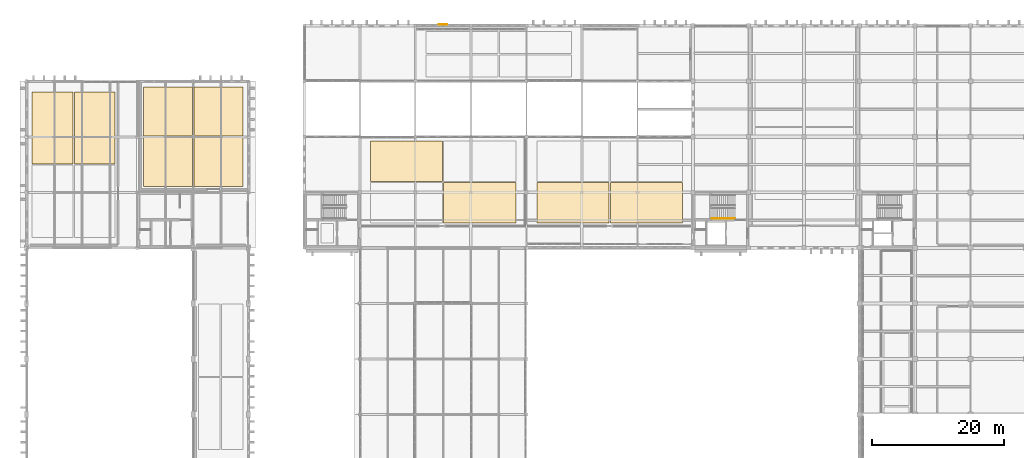
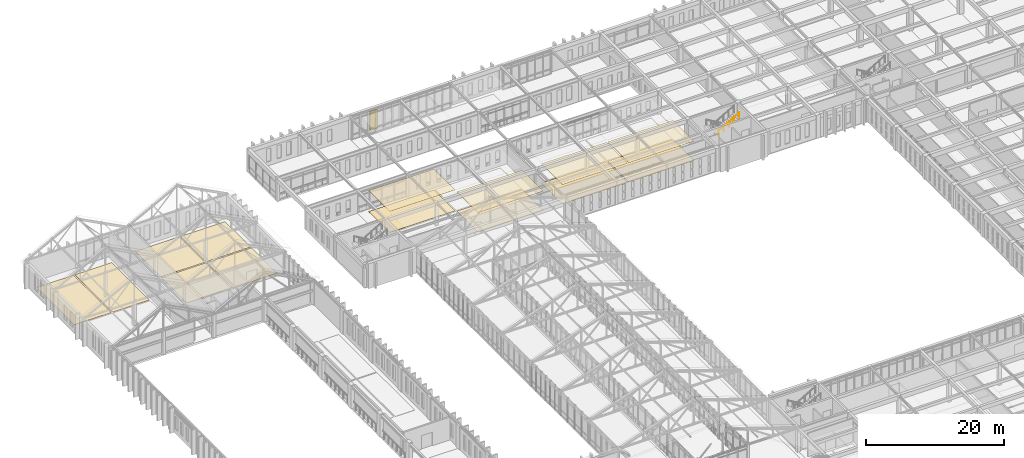
# One storey, part 187 of 192: 14 coverings, 1 railing, 1 shading device.
"""IFC4 building model written with IfcOpenShell, lengths in metres."""

import ifcopenshell
import ifcopenshell.guid

model = None  # the IFC model being written
_history = None  # IfcOwnerHistory: only IFC2X3 demands one
_inside = {}  # id of a spatial element -> (the spatial element, [elements in it])
_under = {}  # id of a project, library or spatial element -> (it, [spatial elements below it])
_declared = {}  # id of a project -> (the project, [libraries it declares])
_typed = {}  # id of a type object -> (the type object, [elements of that type])
_made_of = {}  # id of a material, layer set ... -> (it, [elements and type objects made of it])


def new_model(schema):
    """Start an empty IFC model of exactly this schema.

    Asked for "IFC4X3", IfcOpenShell would pick the latest addendum, in which some entities
    have other attributes; the version numbers below select the first issue.
    IFC2X3 requires an IfcOwnerHistory on every rooted entity: one is made here for all.
    """
    global model, _history
    if schema == "IFC4X3":
        model = ifcopenshell.file(schema_version=(4, 3, 0, 0))
    else:
        model = ifcopenshell.file(schema=schema)
    _inside.clear()
    _under.clear()
    _declared.clear()
    _typed.clear()
    _made_of.clear()
    _history = None
    if model.schema == "IFC2X3":
        org = make("IfcOrganization", Name="unknown")
        user = make(
            "IfcPersonAndOrganization",
            ThePerson=make("IfcPerson", FamilyName="unknown"),
            TheOrganization=org,
        )
        app = make(
            "IfcApplication",
            ApplicationDeveloper=org,
            Version="unknown",
            ApplicationFullName="unknown",
            ApplicationIdentifier="unknown",
        )
        _history = make(
            "IfcOwnerHistory",
            OwningUser=user,
            OwningApplication=app,
            ChangeAction="ADDED",
            CreationDate=0,
        )
    return model


def make(cls, **values):
    """One entity of the class cls with the attributes given. An attribute that is None is left unset."""
    return model.create_entity(
        cls, **{name: value for name, value in values.items() if value is not None}
    )


def rooted(cls, **values):
    """An entity with a GlobalId (a new one), such as an element, a storey or a relation."""
    return make(cls, GlobalId=ifcopenshell.guid.new(), OwnerHistory=_history, **values)


def si_unit(unit_type, name, prefix=None):
    """IfcSIUnit, for example si_unit("LENGTHUNIT", "METRE", prefix="MILLI")."""
    return make("IfcSIUnit", UnitType=unit_type, Prefix=prefix, Name=name)


def assignment(units):
    """IfcUnitAssignment: the units of a project."""
    return None if units is None else make("IfcUnitAssignment", Units=units)


def point(xyz):
    """IfcCartesianPoint."""
    return None if xyz is None else make("IfcCartesianPoint", Coordinates=xyz)


def direction(xyz):
    """IfcDirection."""
    return None if xyz is None else make("IfcDirection", DirectionRatios=xyz)


def frame(location, z_axis=None, x_axis=None):
    """IfcAxis2Placement3D, a coordinate frame: its origin and axes. An axis left out is left unset."""
    return make(
        "IfcAxis2Placement3D",
        Location=point(location),
        Axis=direction(z_axis),
        RefDirection=direction(x_axis),
    )


def frame_2d(location, x_axis=None):
    """IfcAxis2Placement2D, a coordinate frame in the plane: its origin and x axis."""
    return make(
        "IfcAxis2Placement2D", Location=point(location), RefDirection=direction(x_axis)
    )


def origin():
    """The frame at (0, 0, 0) with its axes left unset."""
    return frame((0.0, 0.0, 0.0))


def origin_2d():
    """The frame at (0, 0) in the plane with its x axis left unset."""
    return frame_2d((0.0, 0.0))


def place(relative_to, where):
    """IfcLocalPlacement: puts the frame where relative to a parent placement (None: the world)."""
    return make(
        "IfcLocalPlacement", PlacementRelTo=relative_to, RelativePlacement=where
    )


def context(
    kind, dimensions, precision=None, world=None, true_north=None, identifier=None
):
    """IfcGeometricRepresentationContext, for example the 3D "Model" context."""
    return make(
        "IfcGeometricRepresentationContext",
        ContextIdentifier=identifier,
        ContextType=kind,
        CoordinateSpaceDimension=dimensions,
        Precision=precision,
        WorldCoordinateSystem=world,
        TrueNorth=true_north,
    )


def subcontext(parent, identifier, kind, view, scale=None):
    """IfcGeometricRepresentationSubContext, for example "Body" below "Model"."""
    return make(
        "IfcGeometricRepresentationSubContext",
        ContextIdentifier=identifier,
        ContextType=kind,
        ParentContext=parent,
        TargetScale=scale,
        TargetView=view,
    )


def project(units=None, contexts=None):
    """IfcProject with its units and contexts."""
    return rooted(
        "IfcProject",
        Name="project",
        RepresentationContexts=contexts,
        UnitsInContext=assignment(units),
    )


def spatial(cls, under=None, at=None, **own):
    """A site, building, storey or space (cls), placed at a placement, below another one or the project."""
    s = rooted(cls, ObjectPlacement=at, **own)
    if under is not None:
        _under.setdefault(under.id(), (under, []))[1].append(s)
    return s


def profile(cls, at=None, kind="AREA", **sizes):
    """A parametric profile (cls). Its sizes go by their IFC names, for example OverallWidth=200.0."""
    return make(cls, ProfileType=kind, Position=at, **sizes)


def rectangle(**sizes):
    """IfcRectangleProfileDef."""
    return profile("IfcRectangleProfileDef", **sizes)


def circle(**sizes):
    """IfcCircleProfileDef."""
    return profile("IfcCircleProfileDef", **sizes)


def extrude(swept, where, along, depth):
    """IfcExtrudedAreaSolid: the profile swept, set in the frame where, extruded along a direction by depth."""
    return make(
        "IfcExtrudedAreaSolid",
        SweptArea=swept,
        Position=where,
        ExtrudedDirection=direction(along),
        Depth=depth,
    )


def shape(context_of_items, identifier, shape_type, items):
    """IfcShapeRepresentation: the items that make up one representation, for example the "Body"."""
    return make(
        "IfcShapeRepresentation",
        ContextOfItems=context_of_items,
        RepresentationIdentifier=identifier,
        RepresentationType=shape_type,
        Items=items,
    )


def material(Name=None, Category=None):
    """IfcMaterial."""
    return make("IfcMaterial", Name=Name, Category=Category)


def layer(
    of_material, thickness, ventilated=None, Name=None, Category=None, Priority=None
):
    """IfcMaterialLayer: one layer of a wall or slab, of a material (None: an air gap)."""
    return make(
        "IfcMaterialLayer",
        Material=of_material,
        LayerThickness=thickness,
        IsVentilated=ventilated,
        Name=Name,
        Category=Category,
        Priority=Priority,
    )


def layer_set(layers, Name=None):
    """IfcMaterialLayerSet."""
    return make("IfcMaterialLayerSet", MaterialLayers=layers, LayerSetName=Name)


def made_of(thing, what):
    """Note that an element or type object is made of a material, layer set ...; save() writes the relation."""
    if what is not None:
        _made_of.setdefault(what.id(), (what, []))[1].append(thing)
    return thing


def type_object(cls, material=None, **own):
    """A type object (cls), such as IfcWallType, which elements share."""
    return made_of(rooted(cls, **own), material)


def element(
    cls,
    number,
    at=None,
    inside=None,
    cuts=None,
    type_object=None,
    material=None,
    context=None,
    identifier="Body",
    shape_type=None,
    held_by="IfcProductDefinitionShape",
    body=None,
    shapes=None,
    **own,
):
    """One element of the class cls, such as IfcWall. Its Tag is "e" and its number.

    at: its placement. inside: the storey or other place that contains it. cuts: it is an
    opening in that element (IfcRelVoidsElement). A single representation is given by context,
    identifier, shape_type and body (its items); several are given by shapes. held_by: the class
    of the entity that holds the representations. save() writes the other relations.
    """
    e = rooted(cls, Tag="e%d" % number, ObjectPlacement=at, **own)
    if body is not None:
        shapes = [shape(context, identifier, shape_type, body)]
    if shapes is not None:
        e.Representation = make(held_by, Representations=shapes)
    if inside is not None:
        _inside.setdefault(inside.id(), (inside, []))[1].append(e)
    if cuts is not None:
        rooted(
            "IfcRelVoidsElement", RelatingBuildingElement=cuts, RelatedOpeningElement=e
        )
    if type_object is not None:
        _typed.setdefault(type_object.id(), (type_object, []))[1].append(e)
    return made_of(e, material)


def aggregate(whole, parts):
    """IfcRelAggregates: a whole, such as a stair, and the parts it consists of."""
    return rooted("IfcRelAggregates", RelatingObject=whole, RelatedObjects=parts)


def save(model, path):
    """Write the relations noted so far, then the file.

    IfcRelAggregates (storeys below a building ...), IfcRelContainedInSpatialStructure (elements
    in a storey), IfcRelDefinesByType, IfcRelAssociatesMaterial and IfcRelDeclares: one each for
    every whole, place, type object, material and project.
    """
    for whole, parts in _under.values():
        aggregate(whole, parts)
    for where, things in _inside.values():
        rooted(
            "IfcRelContainedInSpatialStructure",
            RelatedElements=things,
            RelatingStructure=where,
        )
    for kind, things in _typed.values():
        rooted("IfcRelDefinesByType", RelatedObjects=things, RelatingType=kind)
    for what, things in _made_of.values():
        rooted("IfcRelAssociatesMaterial", RelatedObjects=things, RelatingMaterial=what)
    for by, libraries in _declared.values():
        rooted("IfcRelDeclares", RelatingContext=by, RelatedDefinitions=libraries)
    model.write(path)


model = new_model("IFC4")

# Units and contexts
model_context = context("Model", 3, precision=1e-05, world=origin(), true_north=direction((0.0, 1.0)))
body_context = subcontext(model_context, "Body", "Model", "MODEL_VIEW")
ifc_project = project(units=[si_unit("LENGTHUNIT", "METRE"), si_unit("AREAUNIT", "SQUARE_METRE"), si_unit("VOLUMEUNIT", "CUBIC_METRE"), si_unit("PLANEANGLEUNIT", "RADIAN"), si_unit("MASSUNIT", "GRAM", prefix="KILO")], contexts=[model_context])

# Site, building, storey
site_placement = place(None, origin())
site = spatial("IfcSite", under=ifc_project, at=site_placement, CompositionType="ELEMENT")
building_placement = place(site_placement, origin())
building = spatial("IfcBuilding", under=site, at=building_placement, Name="Kveldsbrygga Polytechnic", CompositionType="ELEMENT")
storey_placement = place(building_placement, frame((0.0, 0.0, 5.43994140625)))
storey = spatial("IfcBuildingStorey", under=building, at=storey_placement, Name="L01", CompositionType="ELEMENT", Elevation=5.43994140625)

# Coverings
ifc_material_1 = material(Name="Acoustic mineral baffle ceiling")
ifc_layer_1 = layer(ifc_material_1, 0.030029296875)
ifc_layer_set_1 = layer_set([ifc_layer_1], Name="Acoustic mineral baffle ceiling")
covering_type_1 = type_object("IfcCoveringType", Name="COV-CEIL-AC30", PredefinedType="CEILING", material=ifc_layer_set_1)
for number, where, z_axis, x_axis, name in (
    (1, (57.449951171875, 97.10009765625, 3.68994140625), (0.0, 0.0, 1.0), (1.0, 0.0, 0.0), "Acoustic Ceiling SP-L01-SEM11-WN"),
    (2, (68.550048828125, 90.800048828125, 3.41015625), (0.0, 0.0, 1.0), (1.0, 0.0, 0.0), "Acoustic Ceiling SP-L01-SEM11-ES"),
    (3, (82.64990234375, 90.800048828125, 3.41015625), (0.0, 0.0, 1.0), (1.0, 0.0, 0.0), "Acoustic Ceiling SP-L01-SEM12-WS"),
    (4, (93.75, 90.800048828125, 3.41015625), (0.0, 0.0, 1.0), (1.0, 0.0, 0.0), "Acoustic Ceiling SP-L01-SEM12-ES"),
):
    element("IfcCovering", number, at=place(storey_placement, frame(where, z_axis=z_axis, x_axis=x_axis)), inside=storey, type_object=covering_type_1, Name=name, PredefinedType="CEILING", context=body_context, shape_type="SweptSolid", body=[
        extrude(rectangle(XDim=10.89990234375, YDim=6.10009765625, at=origin_2d()), origin(), (0.0, 0.0, 1.0), 0.030029296875),
    ])
ifc_material_2 = material(Name="Heavy-duty quartz-filled epoxy resin flooring")
ifc_layer_2 = layer(ifc_material_2, 0.014892578125)
ifc_layer_set_2 = layer_set([ifc_layer_2], Name="Heavy-duty quartz-filled epoxy resin flooring")
covering_type_2 = type_object("IfcCoveringType", Name="COV-FLR-EPX15", PredefinedType="FLOORING", material=ifc_layer_set_2)
for number, where, z_axis, x_axis, name in (
    (5, (3.9375, 102.14990234375, 0.0), (0.0, 0.0, 1.0), (1.0, 0.0, 0.0), "Room Flooring SP-L01-WK3W-WN"),
    (6, (10.3125, 102.14990234375, 0.0), (0.0, 0.0, 1.0), (1.0, 0.0, 0.0), "Room Flooring SP-L01-WK3W-EN"),
):
    element("IfcCovering", number, at=place(storey_placement, frame(where, z_axis=z_axis, x_axis=x_axis)), inside=storey, type_object=covering_type_2, Name=name, PredefinedType="FLOORING", context=body_context, shape_type="SweptSolid", body=[
        extrude(rectangle(XDim=6.175048828125, YDim=10.89990234375, at=origin_2d()), origin(), (0.0, 0.0, 1.0), 0.014892578125),
    ])
for number, where, z_axis, x_axis, name in (
    (7, (21.41259765625, 97.012451171875, 0.0), (0.0, 0.0, 1.0), (1.0, 0.0, 0.0), "Room Flooring SP-L01-WK3-WS"),
    (8, (21.41259765625, 104.637451171875, 0.0), (0.0, 0.0, 1.0), (1.0, 0.0, 0.0), "Room Flooring SP-L01-WK3-WN"),
    (9, (29.03759765625, 97.012451171875, 0.0), (0.0, 0.0, 1.0), (1.0, 0.0, 0.0), "Room Flooring SP-L01-WK3-ES"),
    (10, (29.03759765625, 104.637451171875, 0.0), (0.0, 0.0, 1.0), (1.0, 0.0, 0.0), "Room Flooring SP-L01-WK3-EN"),
):
    element("IfcCovering", number, at=place(storey_placement, frame(where, z_axis=z_axis, x_axis=x_axis)), inside=storey, type_object=covering_type_2, Name=name, PredefinedType="FLOORING", context=body_context, shape_type="SweptSolid", body=[
        extrude(rectangle(XDim=7.425048828125, YDim=7.425048828125, at=origin_2d()), origin(), (0.0, 0.0, 1.0), 0.014892578125),
    ])
ifc_material_3 = material(Name="Acoustic oak timber flooring", Category="wood")
ifc_layer_3 = layer(ifc_material_3, 0.02197265625)
ifc_layer_set_3 = layer_set([ifc_layer_3], Name="Acoustic oak timber flooring")
covering_type_3 = type_object("IfcCoveringType", Name="COV-FLR-OAK22", PredefinedType="FLOORING", material=ifc_layer_set_3)
for number, where, z_axis, x_axis, name in (
    (11, (57.449951171875, 97.10009765625, 0.0), (0.0, 0.0, 1.0), (1.0, 0.0, 0.0), "Room Flooring SP-L01-SEM11-WN"),
    (12, (68.550048828125, 90.800048828125, 0.0), (0.0, 0.0, 1.0), (1.0, 0.0, 0.0), "Room Flooring SP-L01-SEM11-ES"),
    (13, (82.64990234375, 90.800048828125, 0.0), (0.0, 0.0, 1.0), (1.0, 0.0, 0.0), "Room Flooring SP-L01-SEM12-WS"),
    (14, (93.75, 90.800048828125, 0.0), (0.0, 0.0, 1.0), (1.0, 0.0, 0.0), "Room Flooring SP-L01-SEM12-ES"),
):
    element("IfcCovering", number, at=place(storey_placement, frame(where, z_axis=z_axis, x_axis=x_axis)), inside=storey, type_object=covering_type_3, Name=name, PredefinedType="FLOORING", context=body_context, shape_type="SweptSolid", body=[
        extrude(rectangle(XDim=10.89990234375, YDim=6.10009765625, at=origin_2d()), origin(), (0.0, 0.0, 1.0), 0.02197265625),
    ])

# Railing
ifc_material_4 = material(Name="Steel S355", Category="steel")
railing_type = type_object("IfcRailingType", Name="RL-STAIR-HND", PredefinedType="HANDRAIL", material=ifc_material_4)
railing_placement = place(storey_placement, frame((103.669921875, 88.449951171875, 2.380126953125)))
element("IfcRailing", 15, at=railing_placement, inside=storey, type_object=railing_type, Name="L01 ST-5 stair handrail 2", PredefinedType="HANDRAIL", context=body_context, shape_type="SweptSolid", body=[
    extrude(circle(Radius=0.02392578125, at=origin_2d()), frame((0.0, 0.0, 0.8759765625), z_axis=(0.862692506924, 0.0, 0.505728819128), x_axis=(0.0, 1.0, 0.0)), (0.0, 0.0, 1.0), 4.033935546875),
    extrude(circle(Radius=0.02099609375, at=origin_2d()), origin(), (0.0, 0.0, 1.0), 0.847900390625),
    extrude(circle(Radius=0.02099609375, at=origin_2d()), frame((0.8701171875, 0.0, 0.510009765625)), (0.0, 0.0, 1.0), 0.847900390625),
    extrude(circle(Radius=0.02099609375, at=origin_2d()), frame((1.739990234375, 0.0, 1.02001953125)), (0.0, 0.0, 1.0), 0.847900390625),
    extrude(circle(Radius=0.02099609375, at=origin_2d()), frame((2.60986328125, 0.0, 1.530029296875)), (0.0, 0.0, 1.0), 0.847900390625),
    extrude(circle(Radius=0.02099609375, at=origin_2d()), frame((3.47998046875, 0.0, 2.0400390625)), (0.0, 0.0, 1.0), 0.847900390625),
])

# Shading device
ifc_material_5 = material(Name="Fired clay brick masonry M10", Category="masonry")
ifc_layer_4 = layer(ifc_material_5, 0.139892578125)
ifc_layer_set_4 = layer_set([ifc_layer_4], Name="Fired clay brick masonry M10")
shading_device_type = type_object("IfcShadingDeviceType", Name="SCR-BRICK-1400", PredefinedType="SHUTTER", material=ifc_layer_set_4)
shading_device_placement = place(storey_placement, frame((62.992431640625, 117.780029296875, 0.0), z_axis=(0.0, 0.0, 1.0), x_axis=(1.0, 0.0, 0.0)))
element("IfcShadingDevice", 16, at=shading_device_placement, inside=storey, type_object=shading_device_type, Name="Perforated Brick Screen Hood L01-X-07-14", PredefinedType="SHUTTER", context=body_context, shape_type="SweptSolid", body=[
    extrude(rectangle(XDim=1.260009765625, YDim=0.139892578125, at=origin_2d()), origin(), (0.0, 0.0, 1.0), 3.3798828125),
])

save(model, "model.ifc")
